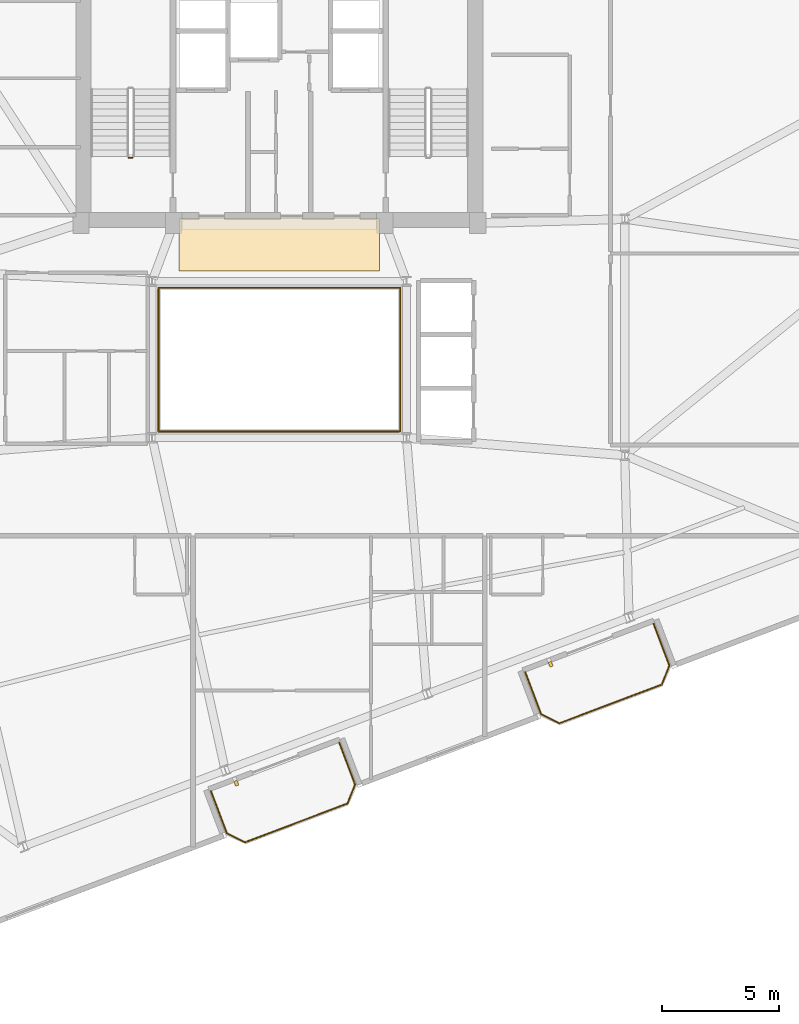
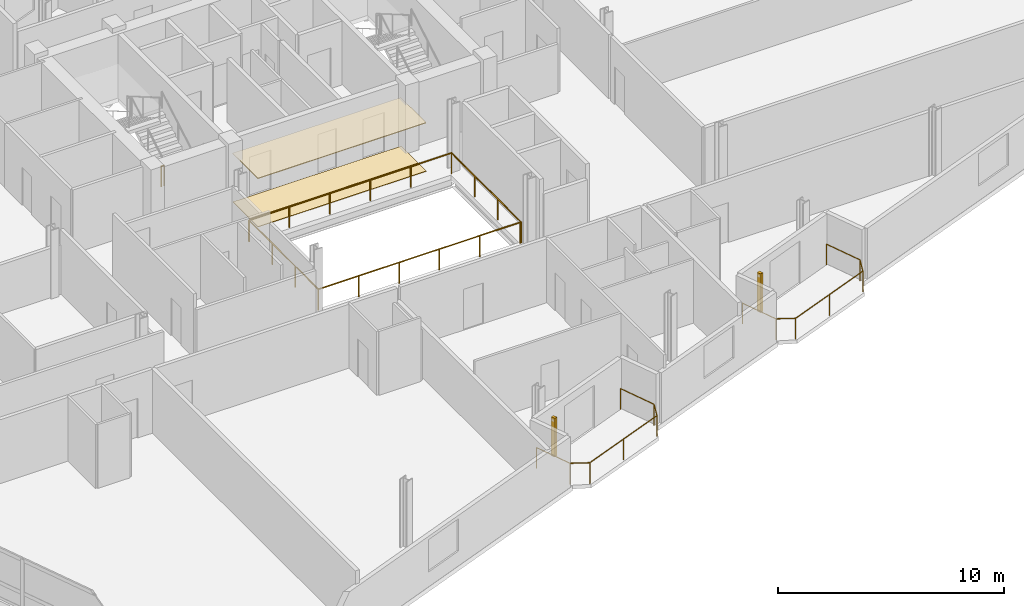
# One storey, part 19 of 20: 5 railings, 2 coverings, 2 shading devices.
"""IFC4 building model written with IfcOpenShell, lengths in metres."""

from ifc_helpers import new_model, si_unit, direction, frame, origin, origin_2d, place, context, subcontext, project, spatial, rectangle, circle, extrude, source, transform, mapped, material, layer, layer_set, type_object, element, save


model = new_model("IFC4")

# Units and contexts
model_context = context("Model", 3, precision=1e-05, world=origin(), true_north=direction((0.0, 1.0)))
body_context = subcontext(model_context, "Body", "Model", "MODEL_VIEW")
ifc_project = project(units=[si_unit("LENGTHUNIT", "METRE"), si_unit("AREAUNIT", "SQUARE_METRE"), si_unit("VOLUMEUNIT", "CUBIC_METRE"), si_unit("PLANEANGLEUNIT", "RADIAN"), si_unit("MASSUNIT", "GRAM", prefix="KILO")], contexts=[model_context])

# Site, building, storey
site_placement = place(None, origin())
site = spatial("IfcSite", under=ifc_project, at=site_placement, CompositionType="ELEMENT")
building_placement = place(site_placement, origin())
building = spatial("IfcBuilding", under=site, at=building_placement, Name="Varnelok Gate Tower", CompositionType="ELEMENT")
storey_placement = place(building_placement, frame((0.0, 0.0, 223.800048828125)))
storey = spatial("IfcBuildingStorey", under=building, at=storey_placement, Name="L57", CompositionType="ELEMENT", Elevation=223.800048828125)

# Railings
ifc_material_1 = material(Name="Tempered Laminated Balustrade Glass", Category="glass")
railing_type_1 = type_object("IfcRailingType", Name="RL-ATR-GUARD1150", PredefinedType="GUARDRAIL", material=ifc_material_1)
railing_1_placement = place(storey_placement, frame((34.02001953125, 25.929931640625, 0.0)))
element("IfcRailing", 1, at=railing_1_placement, inside=storey, type_object=railing_type_1, Name="L57 Internal Atrium South-West Guardrail", PredefinedType="GUARDRAIL", context=body_context, shape_type="SweptSolid", body=[
    extrude(circle(Radius=0.02392578125, at=origin_2d()), frame((0.0, 0.0, 1.1259765625), z_axis=(0.0, -1.0, 0.0), x_axis=(1.0, 0.0, 0.0)), (0.0, 0.0, 1.0), 6.10986328125),
    extrude(circle(Radius=0.02392578125, at=origin_2d()), frame((0.0, -6.10986328125, 1.1259765625), z_axis=(1.0, 0.0, 0.0), x_axis=(0.0, 1.0, 0.0)), (0.0, 0.0, 1.0), 10.31005859375),
    extrude(circle(Radius=0.02099609375, at=origin_2d()), origin(), (0.0, 0.0, 1.0), 1.101806640625),
    extrude(circle(Radius=0.02099609375, at=origin_2d()), frame((0.0, -2.03662109375, 0.0)), (0.0, 0.0, 1.0), 1.101806640625),
    extrude(circle(Radius=0.02099609375, at=origin_2d()), frame((0.0, -4.0732421875, 0.0)), (0.0, 0.0, 1.0), 1.101806640625),
    extrude(circle(Radius=0.02099609375, at=origin_2d()), frame((0.0, -6.10986328125, 0.0)), (0.0, 0.0, 1.0), 1.101806640625),
    extrude(circle(Radius=0.02099609375, at=origin_2d()), frame((2.06201171875, -6.10986328125, 0.0)), (0.0, 0.0, 1.0), 1.101806640625),
    extrude(circle(Radius=0.02099609375, at=origin_2d()), frame((4.1240234375, -6.10986328125, 0.0)), (0.0, 0.0, 1.0), 1.101806640625),
    extrude(circle(Radius=0.02099609375, at=origin_2d()), frame((6.18603515625, -6.10986328125, 0.0)), (0.0, 0.0, 1.0), 1.101806640625),
    extrude(circle(Radius=0.02099609375, at=origin_2d()), frame((8.248046875, -6.10986328125, 0.0)), (0.0, 0.0, 1.0), 1.101806640625),
    extrude(circle(Radius=0.02099609375, at=origin_2d()), frame((10.31005859375, -6.10986328125, 0.0)), (0.0, 0.0, 1.0), 1.101806640625),
])
railing_2_placement = place(storey_placement, frame((44.3798828125, 19.820068359375, 0.0)))
element("IfcRailing", 2, at=railing_2_placement, inside=storey, type_object=railing_type_1, Name="L57 Internal Atrium North-East Guardrail", PredefinedType="GUARDRAIL", context=body_context, shape_type="SweptSolid", body=[
    extrude(circle(Radius=0.02392578125, at=origin_2d()), frame((0.0, 0.0, 1.1259765625), z_axis=(0.0, 1.0, 0.0), x_axis=(-1.0, 0.0, 0.0)), (0.0, 0.0, 1.0), 6.159912109375),
    extrude(circle(Radius=0.02392578125, at=origin_2d()), frame((0.0, 6.159912109375, 1.1259765625), z_axis=(-1.0, 0.0, 0.0), x_axis=(0.0, -1.0, 0.0)), (0.0, 0.0, 1.0), 10.35986328125),
    extrude(circle(Radius=0.02099609375, at=origin_2d()), origin(), (0.0, 0.0, 1.0), 1.101806640625),
    extrude(circle(Radius=0.02099609375, at=origin_2d()), frame((0.0, 2.05322265625, 0.0)), (0.0, 0.0, 1.0), 1.101806640625),
    extrude(circle(Radius=0.02099609375, at=origin_2d()), frame((0.0, 4.106689453125, 0.0)), (0.0, 0.0, 1.0), 1.101806640625),
    extrude(circle(Radius=0.02099609375, at=origin_2d()), frame((0.0, 6.159912109375, 0.0)), (0.0, 0.0, 1.0), 1.101806640625),
    extrude(circle(Radius=0.02099609375, at=origin_2d()), frame((-2.072021484375, 6.159912109375, 0.0)), (0.0, 0.0, 1.0), 1.101806640625),
    extrude(circle(Radius=0.02099609375, at=origin_2d()), frame((-4.14404296875, 6.159912109375, 0.0)), (0.0, 0.0, 1.0), 1.101806640625),
    extrude(circle(Radius=0.02099609375, at=origin_2d()), frame((-6.2158203125, 6.159912109375, 0.0)), (0.0, 0.0, 1.0), 1.101806640625),
    extrude(circle(Radius=0.02099609375, at=origin_2d()), frame((-8.287841796875, 6.159912109375, 0.0)), (0.0, 0.0, 1.0), 1.101806640625),
    extrude(circle(Radius=0.02099609375, at=origin_2d()), frame((-10.35986328125, 6.159912109375, 0.0)), (0.0, 0.0, 1.0), 1.101806640625),
])
ifc_material_2 = material(Name="Low-E Laminated Double Glazing IGU", Category="glass")
railing_type_2 = type_object("IfcRailingType", Name="RL-BALC-1150", PredefinedType="BALUSTRADE", material=ifc_material_2)
railing_3_placement = place(storey_placement, frame((36.26708984375, 4.408203125, 0.0)))
element("IfcRailing", 3, at=railing_3_placement, inside=storey, type_object=railing_type_2, Name="L57 South Terrace Balustrade 1", PredefinedType="BALUSTRADE", context=body_context, shape_type="SweptSolid", body=[
    extrude(circle(Radius=0.02392578125, at=origin_2d()), frame((0.0, 0.0, 1.1259765625), z_axis=(0.354006333352, -0.935243025073, 0.0), x_axis=(0.935243025073, 0.354006333352, 0.0)), (0.0, 0.0, 1.0), 1.919921875),
    extrude(circle(Radius=0.02392578125, at=origin_2d()), frame((0.6796875, -1.795654296875, 1.1259765625), z_axis=(0.89078254773, -0.454429810487, 0.0), x_axis=(0.454429810487, 0.89078254773, 0.0)), (0.0, 0.0, 1.0), 0.8779296875),
    extrude(circle(Radius=0.02392578125, at=origin_2d()), frame((1.461669921875, -2.194580078125, 1.1259765625), z_axis=(0.935223045203, 0.354059113314, 0.0), x_axis=(-0.354059113314, 0.935223045203, 0.0)), (0.0, 0.0, 1.0), 4.699951171875),
    extrude(circle(Radius=0.02392578125, at=origin_2d()), frame((5.857177734375, -0.530517578125, 1.1259765625), z_axis=(0.366254584666, 0.930514685113, 0.0), x_axis=(-0.930514685113, 0.366254584666, 0.0)), (0.0, 0.0, 1.0), 0.8779296875),
    extrude(circle(Radius=0.02392578125, at=origin_2d()), frame((6.1787109375, 0.286376953125, 1.1259765625), z_axis=(-0.354048437536, 0.935227086797, 0.0), x_axis=(-0.935227086797, -0.354048437536, 0.0)), (0.0, 0.0, 1.0), 1.919677734375),
    extrude(circle(Radius=0.02099609375, at=origin_2d()), origin(), (0.0, 0.0, 1.0), 1.101806640625),
    extrude(circle(Radius=0.02099609375, at=origin_2d()), frame((0.6796875, -1.795654296875, 0.0)), (0.0, 0.0, 1.0), 1.101806640625),
    extrude(circle(Radius=0.02099609375, at=origin_2d()), frame((1.461669921875, -2.194580078125, 0.0)), (0.0, 0.0, 1.0), 1.101806640625),
    extrude(circle(Radius=0.02099609375, at=origin_2d()), frame((3.659423828125, -1.362548828125, 0.0)), (0.0, 0.0, 1.0), 1.101806640625),
    extrude(circle(Radius=0.02099609375, at=origin_2d()), frame((5.857177734375, -0.530517578125, 0.0)), (0.0, 0.0, 1.0), 1.101806640625),
    extrude(circle(Radius=0.02099609375, at=origin_2d()), frame((6.1787109375, 0.286376953125, 0.0)), (0.0, 0.0, 1.0), 1.101806640625),
    extrude(circle(Radius=0.02099609375, at=origin_2d()), frame((5.4990234375, 2.081787109375, 0.0)), (0.0, 0.0, 1.0), 1.101806640625),
])
railing_4_placement = place(storey_placement, frame((49.734130859375, 9.506591796875, 0.0)))
element("IfcRailing", 4, at=railing_4_placement, inside=storey, type_object=railing_type_2, Name="L57 South Terrace Balustrade 2", PredefinedType="BALUSTRADE", context=body_context, shape_type="SweptSolid", body=[
    extrude(circle(Radius=0.02392578125, at=origin_2d()), frame((0.0, 0.0, 1.1259765625), z_axis=(0.354159661475, -0.935184973245, 0.0), x_axis=(0.935184973245, 0.354159661475, 0.0)), (0.0, 0.0, 1.0), 1.919921875),
    extrude(circle(Radius=0.02392578125, at=origin_2d()), frame((0.679931640625, -1.79541015625, 1.1259765625), z_axis=(0.890612455555, -0.454763074589, 0.0), x_axis=(0.454763074589, 0.890612455555, 0.0)), (0.0, 0.0, 1.0), 0.877685546875),
    extrude(circle(Radius=0.02392578125, at=origin_2d()), frame((1.461669921875, -2.194580078125, 1.1259765625), z_axis=(0.935212356898, 0.354087344458, 0.0), x_axis=(-0.354087344458, 0.935212356898, 0.0)), (0.0, 0.0, 1.0), 4.7001953125),
    extrude(circle(Radius=0.02392578125, at=origin_2d()), frame((5.857421875, -0.5302734375, 1.1259765625), z_axis=(0.366349384437, 0.930477365938, 0.0), x_axis=(-0.930477365938, 0.366349384437, 0.0)), (0.0, 0.0, 1.0), 0.877685546875),
    extrude(circle(Radius=0.02392578125, at=origin_2d()), frame((6.178955078125, 0.286376953125, 1.1259765625), z_axis=(-0.354006333352, 0.935243025073, 0.0), x_axis=(-0.935243025073, -0.354006333352, 0.0)), (0.0, 0.0, 1.0), 1.919921875),
    extrude(circle(Radius=0.02099609375, at=origin_2d()), origin(), (0.0, 0.0, 1.0), 1.101806640625),
    extrude(circle(Radius=0.02099609375, at=origin_2d()), frame((0.679931640625, -1.79541015625, 0.0)), (0.0, 0.0, 1.0), 1.101806640625),
    extrude(circle(Radius=0.02099609375, at=origin_2d()), frame((1.461669921875, -2.194580078125, 0.0)), (0.0, 0.0, 1.0), 1.101806640625),
    extrude(circle(Radius=0.02099609375, at=origin_2d()), frame((3.65966796875, -1.3623046875, 0.0)), (0.0, 0.0, 1.0), 1.101806640625),
    extrude(circle(Radius=0.02099609375, at=origin_2d()), frame((5.857421875, -0.5302734375, 0.0)), (0.0, 0.0, 1.0), 1.101806640625),
    extrude(circle(Radius=0.02099609375, at=origin_2d()), frame((6.178955078125, 0.286376953125, 0.0)), (0.0, 0.0, 1.0), 1.101806640625),
    extrude(circle(Radius=0.02099609375, at=origin_2d()), frame((5.499267578125, 2.08203125, 0.0)), (0.0, 0.0, 1.0), 1.101806640625),
])
ifc_material_3 = material(Name="Galvanized Steel Grade S350GD", Category="steel")
railing_type_3 = type_object("IfcRailingType", Name="RL-STAIR-GUARD1120", PredefinedType="GUARDRAIL", material=ifc_material_3)
railing_5_placement = place(storey_placement, frame((32.89990234375, 31.550048828125, 0.0)))
element("IfcRailing", 5, at=railing_5_placement, inside=storey, type_object=railing_type_3, Name="L57 ST-1 stair guard 4", PredefinedType="GUARDRAIL", context=body_context, shape_type="SweptSolid", body=[
    extrude(circle(Radius=0.02392578125, at=origin_2d()), frame((0.0, 0.0, 1.09619140625), z_axis=(-1.0, 0.0, 0.0), x_axis=(0.0, -1.0, 0.0)), (0.0, 0.0, 1.0), 0.14990234375),
    extrude(circle(Radius=0.02099609375, at=origin_2d()), origin(), (0.0, 0.0, 1.0), 1.072021484375),
    extrude(circle(Radius=0.02099609375, at=origin_2d()), frame((-0.14990234375, 0.0, 0.0)), (0.0, 0.0, 1.0), 1.072021484375),
])

# Shading devices
ifc_material_4 = material(Name="Glazed Architectural Terracotta Ceramic", Category="masonry")
shading_device_type = type_object("IfcShadingDeviceType", Name="SHD-TERRA-FIN", PredefinedType="USERDEFINED", material=ifc_material_4)
shared_shape_1 = source(origin(), body_context, "Body", "SweptSolid", [
    extrude(rectangle(XDim=0.139892578125, YDim=0.219970703125, at=origin_2d()), origin(), (0.0, 0.0, 1.0), 2.10009765625),
])
for number, where, z_axis, x_axis, name in (
    (6, (37.35791015625, 4.746337890625, 0.099853515625), (0.0, 0.0, 1.0), (0.935221751401, 0.354062530786, 0.0), "L57 Terracotta Ceramic Baguette Sunscreen 1.1"),
    (7, (50.8251953125, 9.844970703125, 0.099853515625), (0.0, 0.0, 1.0), (0.935221751401, 0.354062530786, 0.0), "L57 Terracotta Ceramic Baguette Sunscreen 2.1"),
):
    element("IfcShadingDevice", number, at=place(storey_placement, frame(where, z_axis=z_axis, x_axis=x_axis)), inside=storey, type_object=shading_device_type, Name=name, ObjectType="BAGUETTE", PredefinedType="USERDEFINED", context=body_context, shape_type="MappedRepresentation", body=[
        mapped(shared_shape_1, transform((0.0, 0.0, 0.0), scale=1.0)),
    ])

# Coverings
ifc_material_5 = material(Name="Honed Travertine Stone Flooring", Category="masonry")
ifc_layer_1 = layer(ifc_material_5, 0.02490234375)
ifc_layer_set_1 = layer_set([ifc_layer_1], Name="Honed Travertine Stone Flooring")
covering_type_1 = type_object("IfcCoveringType", Name="COV-FLOR-STONE", PredefinedType="FLOORING", material=ifc_layer_set_1)
shared_shape_2 = source(origin(), body_context, "Body", "SweptSolid", [
    extrude(rectangle(XDim=8.60009765625, YDim=2.219970703125, at=origin_2d()), origin(), (0.0, 0.0, 1.0), 0.02490234375),
])
covering_1_placement = place(storey_placement, frame((39.199951171875, 27.800048828125, 0.0), z_axis=(0.0, 0.0, 1.0), x_axis=(1.0, 0.0, 0.0)))
element("IfcCovering", 8, at=covering_1_placement, inside=storey, type_object=covering_type_1, Name="L57 Core Gallery Stone Flooring", PredefinedType="FLOORING", context=body_context, shape_type="MappedRepresentation", body=[
    mapped(shared_shape_2, transform((0.0, 0.0, 0.0), scale=1.0)),
])
ifc_material_6 = material(Name="Mineral Fiber Acoustic Ceiling Tile")
ifc_layer_2 = layer(ifc_material_6, 0.0400390625)
ifc_layer_set_2 = layer_set([ifc_layer_2], Name="Mineral Fiber Acoustic Ceiling Tile")
covering_type_2 = type_object("IfcCoveringType", Name="COV-CEIL-ACOUST", PredefinedType="CEILING", material=ifc_layer_set_2)
shared_shape_3 = source(origin(), body_context, "Body", "SweptSolid", [
    extrude(rectangle(XDim=8.60009765625, YDim=2.239990234375, at=origin_2d()), origin(), (0.0, 0.0, 1.0), 0.0400390625),
])
covering_2_placement = place(storey_placement, frame((39.199951171875, 27.820068359375, 2.599853515625), z_axis=(0.0, 0.0, 1.0), x_axis=(1.0, 0.0, 0.0)))
element("IfcCovering", 9, at=covering_2_placement, inside=storey, type_object=covering_type_2, Name="L57 Core Gallery Acoustic Ceiling", PredefinedType="CEILING", context=body_context, shape_type="MappedRepresentation", body=[
    mapped(shared_shape_3, transform((0.0, 0.0, 0.0), scale=1.0)),
])

save(model, "model.ifc")
